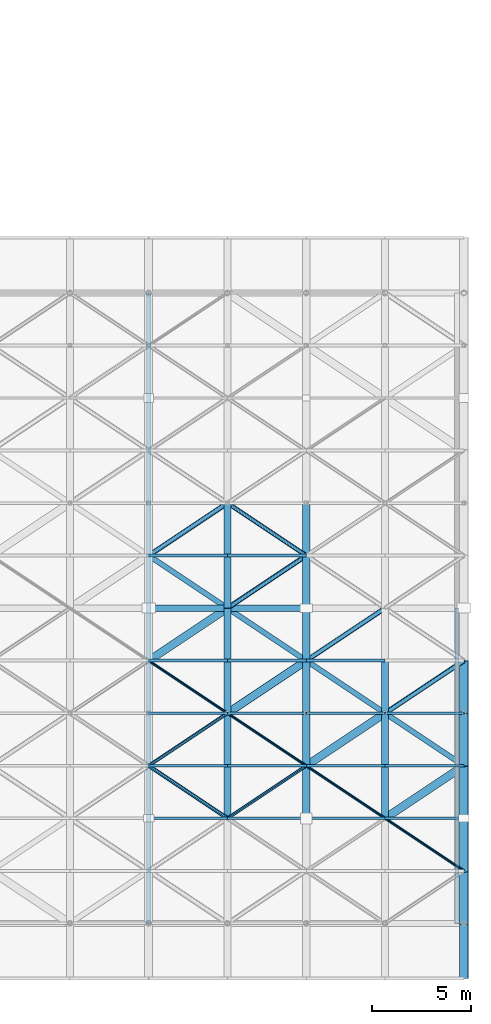
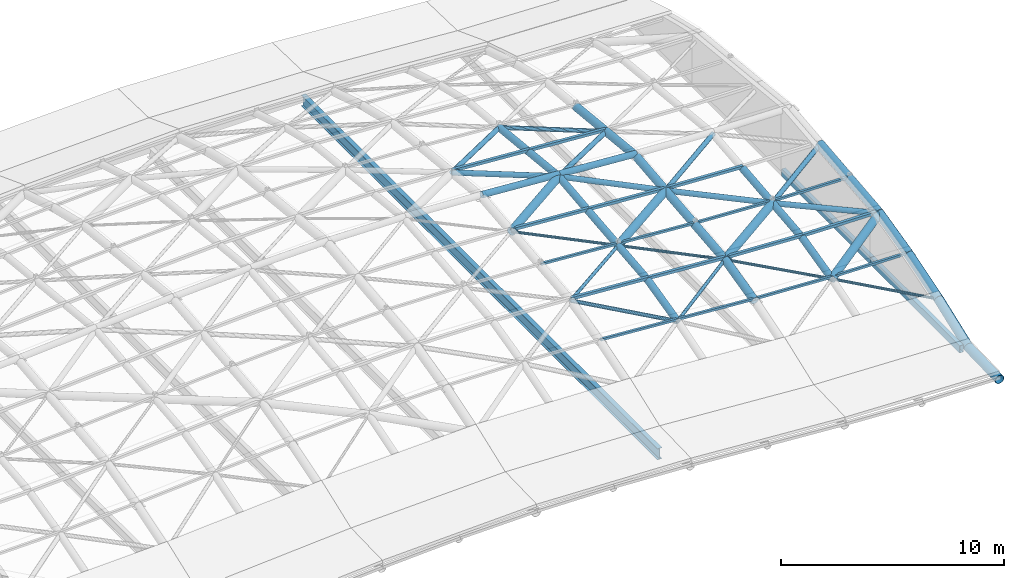
# One storey, part 6 of 20: 39 members, 24 beams.
"""IFC4 building model written with IfcOpenShell, lengths in metres."""

from ifc_helpers import new_model, si_unit, direction, frame, origin, origin_2d, place, context, subcontext, project, spatial, hollow_rectangle, hollow_circle, i_section, extrude, material, material_profile, profile_set, type_object, element, save


model = new_model("IFC4")

# Units and contexts
model_context = context("Model", 3, precision=1e-05, world=origin(), true_north=direction((0.0, 1.0)))
body_context = subcontext(model_context, "Body", "Model", "MODEL_VIEW")
ifc_project = project(units=[si_unit("LENGTHUNIT", "METRE"), si_unit("AREAUNIT", "SQUARE_METRE"), si_unit("VOLUMEUNIT", "CUBIC_METRE"), si_unit("PLANEANGLEUNIT", "RADIAN"), si_unit("MASSUNIT", "GRAM", prefix="KILO")], contexts=[model_context])

# Site, building, storey
site_placement = place(None, origin())
site = spatial("IfcSite", under=ifc_project, at=site_placement, CompositionType="ELEMENT")
building_placement = place(site_placement, origin())
building = spatial("IfcBuilding", under=site, at=building_placement, Name="Tenunan Teduh Sports Hall", CompositionType="ELEMENT")
storey_placement = place(building_placement, frame((0.0, 0.0, 23.39990234375)))
storey = spatial("IfcBuildingStorey", under=building, at=storey_placement, Name="RF", CompositionType="ELEMENT", Elevation=23.39990234375)

# Beams
ifc_material_1 = material(Name="Steel S355", Category="steel")
ifc_material_profile_1 = material_profile(ifc_material_1, hollow_circle(Radius=0.177734375, WallThickness=0.012451171875, at=origin_2d()), Name="CHS 355.6x12.5")
ifc_profile_set_1 = profile_set([ifc_material_profile_1], Name="Steel S355")
beam_type_1 = type_object("IfcBeamType", Name="GSB-CHS356", PredefinedType="BEAM", material=ifc_profile_set_1)
beam_1_placement = place(storey_placement, frame((42.0, 19.333251953125, 2.0029296875), z_axis=(0.0, 0.972012875749, 0.234927583263), x_axis=(-1.0, 0.0, 0.0)))
element("IfcBeam", 1, at=beam_1_placement, inside=storey, type_object=beam_type_1, Name="Gridshell Vault Arch BM-GR-04-RF-0396", PredefinedType="BEAM", context=body_context, shape_type="SweptSolid", body=[
    extrude(hollow_circle(Radius=0.177734375, WallThickness=0.012451171875, at=origin_2d()), origin(), (0.0, 0.0, 1.0), 2.74365234375),
])
beam_2_placement = place(storey_placement, frame((42.0, 22.0, 2.6474609375), z_axis=(0.0, 0.994784282387, 0.102001134878), x_axis=(-1.0, 0.0, 0.0)))
element("IfcBeam", 2, at=beam_2_placement, inside=storey, type_object=beam_type_1, Name="Gridshell Vault Arch BM-GR-04-RF-0397", PredefinedType="BEAM", context=body_context, shape_type="SweptSolid", body=[
    extrude(hollow_circle(Radius=0.177734375, WallThickness=0.012451171875, at=origin_2d()), origin(), (0.0, 0.0, 1.0), 2.6806640625),
])
beam_3_placement = place(storey_placement, frame((42.0, 24.666748046875, 2.9208984375), z_axis=(0.0, 0.994783334719, 0.102010376752), x_axis=(-1.0, 0.0, 0.0)))
element("IfcBeam", 3, at=beam_3_placement, inside=storey, type_object=beam_type_1, Name="Gridshell Vault Arch BM-GR-04-RF-0398", PredefinedType="BEAM", context=body_context, shape_type="SweptSolid", body=[
    extrude(hollow_circle(Radius=0.177734375, WallThickness=0.012451171875, at=origin_2d()), origin(), (0.0, 0.0, 1.0), 2.680419921875),
])
for number, where, z_axis, x_axis, name in (
    (4, (42.0, 27.333251953125, 3.1943359375), (0.0, 0.994635403039, 0.103442810387), (-1.0, 0.0, 0.0), "Gridshell Vault Arch BM-GR-04-RF-0399"),
    (5, (42.0, 30.0, 3.4716796875), (0.0, 0.994635403039, -0.103442810387), (-1.0, 0.0, 0.0), "Gridshell Vault Arch BM-GR-04-RF-0400"),
):
    element("IfcBeam", number, at=place(storey_placement, frame(where, z_axis=z_axis, x_axis=x_axis)), inside=storey, type_object=beam_type_1, Name=name, PredefinedType="BEAM", context=body_context, shape_type="SweptSolid", body=[
        extrude(hollow_circle(Radius=0.177734375, WallThickness=0.012451171875, at=origin_2d()), origin(), (0.0, 0.0, 1.0), 2.68115234375),
    ])
beam_4_placement = place(storey_placement, frame((42.0, 32.666748046875, 3.1943359375), z_axis=(0.0, 0.994783334719, -0.102010376752), x_axis=(-1.0, 0.0, 0.0)))
element("IfcBeam", 6, at=beam_4_placement, inside=storey, type_object=beam_type_1, Name="Gridshell Vault Arch BM-GR-04-RF-0401", PredefinedType="BEAM", context=body_context, shape_type="SweptSolid", body=[
    extrude(hollow_circle(Radius=0.177734375, WallThickness=0.012451171875, at=origin_2d()), origin(), (0.0, 0.0, 1.0), 2.680419921875),
])
beam_5_placement = place(storey_placement, frame((50.0, 19.333251953125, 1.5263671875), z_axis=(0.0, 0.972012875749, 0.234927583263), x_axis=(-1.0, 0.0, 0.0)))
element("IfcBeam", 7, at=beam_5_placement, inside=storey, type_object=beam_type_1, Name="Gridshell Vault Arch BM-GR-04-RF-0424", PredefinedType="BEAM", context=body_context, shape_type="SweptSolid", body=[
    extrude(hollow_circle(Radius=0.177734375, WallThickness=0.012451171875, at=origin_2d()), origin(), (0.0, 0.0, 1.0), 2.74365234375),
])
beam_6_placement = place(storey_placement, frame((50.0, 22.0, 2.1708984375), z_axis=(0.0, 0.994784282387, 0.102001134878), x_axis=(-1.0, 0.0, 0.0)))
element("IfcBeam", 8, at=beam_6_placement, inside=storey, type_object=beam_type_1, Name="Gridshell Vault Arch BM-GR-04-RF-0425", PredefinedType="BEAM", context=body_context, shape_type="SweptSolid", body=[
    extrude(hollow_circle(Radius=0.177734375, WallThickness=0.012451171875, at=origin_2d()), origin(), (0.0, 0.0, 1.0), 2.6806640625),
])
beam_7_placement = place(storey_placement, frame((50.0, 24.666748046875, 2.4443359375), z_axis=(0.0, 0.994783334719, 0.102010376752), x_axis=(-1.0, 0.0, 0.0)))
element("IfcBeam", 9, at=beam_7_placement, inside=storey, type_object=beam_type_1, Name="Gridshell Vault Arch BM-GR-04-RF-0426", PredefinedType="BEAM", context=body_context, shape_type="SweptSolid", body=[
    extrude(hollow_circle(Radius=0.177734375, WallThickness=0.012451171875, at=origin_2d()), origin(), (0.0, 0.0, 1.0), 2.680419921875),
])
ifc_material_2 = material(Name="Steel S355", Category="steel")
ifc_material_profile_2 = material_profile(ifc_material_2, hollow_circle(Radius=0.203125, WallThickness=0.01611328125, at=origin_2d()), Name="CHS 406.4x16.0")
ifc_profile_set_2 = profile_set([ifc_material_profile_2], Name="Steel S355")
beam_type_2 = type_object("IfcBeamType", Name="GSB-CHS406", PredefinedType="BEAM", material=ifc_profile_set_2)
beam_8_placement = place(storey_placement, frame((46.0, 19.333251953125, 1.7255859375), z_axis=(0.0, 0.972012875749, 0.234927583263), x_axis=(-1.0, 0.0, 0.0)))
element("IfcBeam", 10, at=beam_8_placement, inside=storey, type_object=beam_type_2, Name="Gridshell Vault Arch BM-GA-02-RF-0410", PredefinedType="BEAM", context=body_context, shape_type="SweptSolid", body=[
    extrude(hollow_circle(Radius=0.203125, WallThickness=0.01611328125, at=origin_2d()), origin(), (0.0, 0.0, 1.0), 2.74365234375),
])
beam_9_placement = place(storey_placement, frame((46.0, 22.0, 2.3701171875), z_axis=(0.0, 0.994784282387, 0.102001134878), x_axis=(-1.0, 0.0, 0.0)))
element("IfcBeam", 11, at=beam_9_placement, inside=storey, type_object=beam_type_2, Name="Gridshell Vault Arch BM-GA-02-RF-0411", PredefinedType="BEAM", context=body_context, shape_type="SweptSolid", body=[
    extrude(hollow_circle(Radius=0.203125, WallThickness=0.01611328125, at=origin_2d()), origin(), (0.0, 0.0, 1.0), 2.6806640625),
])
beam_10_placement = place(storey_placement, frame((46.0, 24.666748046875, 2.6435546875), z_axis=(0.0, 0.994783334719, 0.102010376752), x_axis=(-1.0, 0.0, 0.0)))
element("IfcBeam", 12, at=beam_10_placement, inside=storey, type_object=beam_type_2, Name="Gridshell Vault Arch BM-GA-02-RF-0412", PredefinedType="BEAM", context=body_context, shape_type="SweptSolid", body=[
    extrude(hollow_circle(Radius=0.203125, WallThickness=0.01611328125, at=origin_2d()), origin(), (0.0, 0.0, 1.0), 2.680419921875),
])
for number, where, z_axis, x_axis, name in (
    (13, (46.0, 27.333251953125, 2.9169921875), (0.0, 0.994635403039, 0.103442810387), (-1.0, 0.0, 0.0), "Gridshell Vault Arch BM-GA-02-RF-0413"),
    (14, (46.0, 30.0, 3.1943359375), (0.0, 0.994635403039, -0.103442810387), (-1.0, 0.0, 0.0), "Gridshell Vault Arch BM-GA-02-RF-0414"),
):
    element("IfcBeam", number, at=place(storey_placement, frame(where, z_axis=z_axis, x_axis=x_axis)), inside=storey, type_object=beam_type_2, Name=name, PredefinedType="BEAM", context=body_context, shape_type="SweptSolid", body=[
        extrude(hollow_circle(Radius=0.203125, WallThickness=0.01611328125, at=origin_2d()), origin(), (0.0, 0.0, 1.0), 2.68115234375),
    ])
beam_11_placement = place(storey_placement, frame((46.0, 32.666748046875, 2.9169921875), z_axis=(0.0, 0.994783334719, -0.102010376752), x_axis=(-1.0, 0.0, 0.0)))
element("IfcBeam", 15, at=beam_11_placement, inside=storey, type_object=beam_type_2, Name="Gridshell Vault Arch BM-GA-02-RF-0415", PredefinedType="BEAM", context=body_context, shape_type="SweptSolid", body=[
    extrude(hollow_circle(Radius=0.203125, WallThickness=0.01611328125, at=origin_2d()), origin(), (0.0, 0.0, 1.0), 2.680419921875),
])
ifc_material_3 = material(Name="Steel S355", Category="steel")
ifc_material_profile_3 = material_profile(ifc_material_3, hollow_circle(Radius=0.228515625, WallThickness=0.01611328125, at=origin_2d()), Name="CHS 457.0x16.0")
ifc_profile_set_3 = profile_set([ifc_material_profile_3], Name="Steel S355")
beam_type_3 = type_object("IfcBeamType", Name="GSB-CHS457", PredefinedType="BEAM", material=ifc_profile_set_3)
beam_12_placement = place(storey_placement, frame((54.0, 11.199951171875, -0.4580078125), z_axis=(0.0, 0.999610985869, 0.027890445155), x_axis=(-1.0, 0.0, 0.0)))
element("IfcBeam", 16, at=beam_12_placement, inside=storey, type_object=beam_type_3, Name="Gridshell Vault Arch BM-GA-01-RF-0435", PredefinedType="BEAM", context=body_context, shape_type="SweptSolid", body=[
    extrude(hollow_circle(Radius=0.228515625, WallThickness=0.01611328125, at=origin_2d()), origin(), (0.0, 0.0, 1.0), 2.801025390625),
])
beam_13_placement = place(storey_placement, frame((54.0, 14.0, -0.3798828125), z_axis=(0.0, 0.935428675248, 0.353515478479), x_axis=(-1.0, 0.0, 0.0)))
element("IfcBeam", 17, at=beam_13_placement, inside=storey, type_object=beam_type_3, Name="Gridshell Vault Arch BM-GA-01-RF-0436", PredefinedType="BEAM", context=body_context, shape_type="SweptSolid", body=[
    extrude(hollow_circle(Radius=0.228515625, WallThickness=0.01611328125, at=origin_2d()), origin(), (0.0, 0.0, 1.0), 2.850830078125),
])
beam_14_placement = place(storey_placement, frame((54.0, 16.666748046875, 0.6279296875), z_axis=(0.0, 0.955399948598, 0.295314981365), x_axis=(-1.0, 0.0, 0.0)))
element("IfcBeam", 18, at=beam_14_placement, inside=storey, type_object=beam_type_3, Name="Gridshell Vault Arch BM-GA-01-RF-0437", PredefinedType="BEAM", context=body_context, shape_type="SweptSolid", body=[
    extrude(hollow_circle(Radius=0.228515625, WallThickness=0.01611328125, at=origin_2d()), origin(), (0.0, 0.0, 1.0), 2.791015625),
])
beam_15_placement = place(storey_placement, frame((54.0, 19.333251953125, 1.4521484375), z_axis=(0.0, 0.972012875749, 0.234927583263), x_axis=(-1.0, 0.0, 0.0)))
element("IfcBeam", 19, at=beam_15_placement, inside=storey, type_object=beam_type_3, Name="Gridshell Vault Arch BM-GA-01-RF-0438", PredefinedType="BEAM", context=body_context, shape_type="SweptSolid", body=[
    extrude(hollow_circle(Radius=0.228515625, WallThickness=0.01611328125, at=origin_2d()), origin(), (0.0, 0.0, 1.0), 2.74365234375),
])
beam_16_placement = place(storey_placement, frame((54.0, 22.0, 2.0966796875), z_axis=(0.0, 0.994784282387, 0.102001134878), x_axis=(-1.0, 0.0, 0.0)))
element("IfcBeam", 20, at=beam_16_placement, inside=storey, type_object=beam_type_3, Name="Gridshell Vault Arch BM-GA-01-RF-0439", PredefinedType="BEAM", context=body_context, shape_type="SweptSolid", body=[
    extrude(hollow_circle(Radius=0.228515625, WallThickness=0.01611328125, at=origin_2d()), origin(), (0.0, 0.0, 1.0), 2.6806640625),
])
beam_17_placement = place(storey_placement, frame((54.0, 24.666748046875, 2.3701171875), z_axis=(0.0, 0.994783334719, 0.102010376752), x_axis=(-1.0, 0.0, 0.0)))
element("IfcBeam", 21, at=beam_17_placement, inside=storey, type_object=beam_type_3, Name="Gridshell Vault Arch BM-GA-01-RF-0440", PredefinedType="BEAM", context=body_context, shape_type="SweptSolid", body=[
    extrude(hollow_circle(Radius=0.228515625, WallThickness=0.01611328125, at=origin_2d()), origin(), (0.0, 0.0, 1.0), 2.680419921875),
])

# Members
ifc_material_4 = material(Name="Steel S355", Category="steel")
ifc_material_profile_4 = material_profile(ifc_material_4, hollow_circle(Radius=0.06982421875, WallThickness=0.00634765625, at=origin_2d()), Name="CHS 139.7x6.3")
ifc_profile_set_4 = profile_set([ifc_material_profile_4], Name="Steel S355")
member_type_1 = type_object("IfcMemberType", Name="MEM-BR-CHS140", PredefinedType="BRACE", material=ifc_profile_set_4)
member_1_placement = place(storey_placement, frame((38.0, 27.333251953125, 3.4677734375), z_axis=(0.826733689025, -0.551122152804, -0.113029996546), x_axis=(0.554676756648, 0.832065920246, 0.0)))
element("IfcMember", 22, at=member_1_placement, inside=storey, type_object=member_type_1, Name="MEM-GD-05-RF-0745", PredefinedType="BRACE", context=body_context, shape_type="SweptSolid", body=[
    extrude(hollow_circle(Radius=0.06982421875, WallThickness=0.00634765625, at=origin_2d()), origin(), (0.0, 0.0, 1.0), 4.83837890625),
])
member_2_placement = place(storey_placement, frame((42.0, 24.666748046875, 2.9208984375), z_axis=(0.826635001077, -0.55110681865, -0.113823764797), x_axis=(0.554711915519, 0.832042481356, 0.0)))
element("IfcMember", 23, at=member_2_placement, inside=storey, type_object=member_type_1, Name="MEM-GD-05-RF-0771", PredefinedType="BRACE", context=body_context, shape_type="SweptSolid", body=[
    extrude(hollow_circle(Radius=0.06982421875, WallThickness=0.00634765625, at=origin_2d()), origin(), (0.0, 0.0, 1.0), 4.8388671875),
])
member_3_placement = place(storey_placement, frame((46.0, 22.0, 2.3701171875), z_axis=(0.819516270357, -0.546360853339, -0.172866713278), x_axis=(0.554711915519, 0.832042481356, 0.0)))
element("IfcMember", 24, at=member_3_placement, inside=storey, type_object=member_type_1, Name="MEM-GD-05-RF-0797", PredefinedType="BRACE", context=body_context, shape_type="SweptSolid", body=[
    extrude(hollow_circle(Radius=0.06982421875, WallThickness=0.00634765625, at=origin_2d()), origin(), (0.0, 0.0, 1.0), 4.880859375),
])
member_4_placement = place(storey_placement, frame((50.0, 19.333251953125, 1.5263671875), z_axis=(0.817904708039, -0.545236524731, -0.183709065282), x_axis=(0.554676756648, 0.832065920246, 0.0)))
element("IfcMember", 25, at=member_4_placement, inside=storey, type_object=member_type_1, Name="MEM-GD-05-RF-0821", PredefinedType="BRACE", context=body_context, shape_type="SweptSolid", body=[
    extrude(hollow_circle(Radius=0.06982421875, WallThickness=0.00634765625, at=origin_2d()), origin(), (0.0, 0.0, 1.0), 4.890625),
])
ifc_material_5 = material(Name="Steel S355", Category="steel")
ifc_material_profile_5 = material_profile(ifc_material_5, hollow_circle(Radius=0.084228515625, WallThickness=0.008056640625, at=origin_2d()), Name="CHS 168.3x8.0")
ifc_profile_set_5 = profile_set([ifc_material_profile_5], Name="Steel S355")
member_type_2 = type_object("IfcMemberType", Name="MEM-BR-CHS168", PredefinedType="BRACE", material=ifc_profile_set_5)
member_5_placement = place(storey_placement, frame((38.0, 22.0, 2.9208984375), z_axis=(0.832042481356, 0.554711915519, 0.0), x_axis=(-0.554711915519, 0.832042481356, 0.0)))
element("IfcMember", 26, at=member_5_placement, inside=storey, type_object=member_type_2, Name="MEM-GD-04-RF-0744", PredefinedType="BRACE", context=body_context, shape_type="SweptSolid", body=[
    extrude(hollow_circle(Radius=0.084228515625, WallThickness=0.008056640625, at=origin_2d()), origin(), (0.0, 0.0, 1.0), 4.807373046875),
])
member_6_placement = place(storey_placement, frame((42.0, 19.333251953125, 2.0029296875), z_axis=(0.829626090454, 0.553100939088, 0.076157082522), x_axis=(-0.554711915519, 0.832042481356, 0.0)))
element("IfcMember", 27, at=member_6_placement, inside=storey, type_object=member_type_2, Name="MEM-GD-04-RF-0770", PredefinedType="BRACE", context=body_context, shape_type="SweptSolid", body=[
    extrude(hollow_circle(Radius=0.084228515625, WallThickness=0.008056640625, at=origin_2d()), origin(), (0.0, 0.0, 1.0), 4.821533203125),
])
ifc_material_6 = material(Name="Steel S355", Category="steel")
ifc_material_profile_6 = material_profile(ifc_material_6, hollow_circle(Radius=0.096923828125, WallThickness=0.008056640625, at=origin_2d()), Name="CHS 193.7x8.0")
ifc_profile_set_6 = profile_set([ifc_material_profile_6], Name="Steel S355")
member_type_3 = type_object("IfcMemberType", Name="MEM-BR-CHS194", PredefinedType="BRACE", material=ifc_profile_set_6)
member_7_placement = place(storey_placement, frame((38.0, 22.0, 2.9208984375), z_axis=(0.817276570763, -0.54486767471, -0.187558588017), x_axis=(0.554711915519, 0.832042481356, 0.0)))
element("IfcMember", 28, at=member_7_placement, inside=storey, type_object=member_type_3, Name="MEM-GD-03-RF-0743", PredefinedType="BRACE", context=body_context, shape_type="SweptSolid", body=[
    extrude(hollow_circle(Radius=0.096923828125, WallThickness=0.008056640625, at=origin_2d()), origin(), (0.0, 0.0, 1.0), 4.894287109375),
])
ifc_material_7 = material(Name="Steel S355", Category="steel")
ifc_material_profile_7 = material_profile(ifc_material_7, hollow_circle(Radius=0.109619140625, WallThickness=0.010009765625, at=origin_2d()), Name="CHS 219.1x10.0")
ifc_profile_set_7 = profile_set([ifc_material_profile_7], Name="Steel S355")
member_type_4 = type_object("IfcMemberType", Name="MEM-BR-CHS219", PredefinedType="BRACE", material=ifc_profile_set_7)
member_8_placement = place(storey_placement, frame((42.0, 35.333251953125, 2.9208984375), z_axis=(0.832065645556, -0.554676573533, -0.000812564107), x_axis=(0.554676756648, 0.832065920246, 0.0)))
element("IfcMember", 29, at=member_8_placement, inside=storey, type_object=member_type_4, Name="MEM-GD-02-RF-0775", PredefinedType="BRACE", context=body_context, shape_type="SweptSolid", body=[
    extrude(hollow_circle(Radius=0.109619140625, WallThickness=0.010009765625, at=origin_2d()), origin(), (0.0, 0.0, 1.0), 4.807373046875),
])
ifc_material_8 = material(Name="Steel S355", Category="steel")
ifc_material_profile_8 = material_profile(ifc_material_8, hollow_circle(Radius=0.122314453125, WallThickness=0.010009765625, at=origin_2d()), Name="CHS 244.5x10.0")
ifc_profile_set_8 = profile_set([ifc_material_profile_8], Name="Steel S355")
member_type_5 = type_object("IfcMemberType", Name="MEM-BR-CHS245", PredefinedType="BRACE", material=ifc_profile_set_8)
member_9_placement = place(storey_placement, frame((38.0, 32.666748046875, 3.4677734375), z_axis=(0.826733689025, 0.551122152804, -0.113029996546), x_axis=(-0.554676756648, 0.832065920246, 0.0)))
element("IfcMember", 30, at=member_9_placement, inside=storey, type_object=member_type_5, Name="MEM-GD-01-RF-0748", PredefinedType="BRACE", context=body_context, shape_type="SweptSolid", body=[
    extrude(hollow_circle(Radius=0.122314453125, WallThickness=0.010009765625, at=origin_2d()), origin(), (0.0, 0.0, 1.0), 4.83837890625),
])
member_10_placement = place(storey_placement, frame((42.0, 30.0, 3.4716796875), z_axis=(0.826558786537, 0.551056007406, -0.114620456727), x_axis=(-0.554711915519, 0.832042481356, 0.0)))
element("IfcMember", 31, at=member_10_placement, inside=storey, type_object=member_type_5, Name="MEM-GD-01-RF-0774", PredefinedType="BRACE", context=body_context, shape_type="SweptSolid", body=[
    extrude(hollow_circle(Radius=0.122314453125, WallThickness=0.010009765625, at=origin_2d()), origin(), (0.0, 0.0, 1.0), 4.83935546875),
])
member_11_placement = place(storey_placement, frame((46.0, 27.333251953125, 2.9169921875), z_axis=(0.831932636285, 0.554638683236, 0.016248684302), x_axis=(-0.554711915519, 0.832042481356, 0.0)))
element("IfcMember", 32, at=member_11_placement, inside=storey, type_object=member_type_5, Name="MEM-GD-01-RF-0800", PredefinedType="BRACE", context=body_context, shape_type="SweptSolid", body=[
    extrude(hollow_circle(Radius=0.122314453125, WallThickness=0.010009765625, at=origin_2d()), origin(), (0.0, 0.0, 1.0), 4.80810546875),
])
member_12_placement = place(storey_placement, frame((50.0, 24.666748046875, 2.4443359375), z_axis=(0.831352369747, 0.55420108535, 0.041405244978), x_axis=(-0.554676756648, 0.832065920246, 0.0)))
element("IfcMember", 33, at=member_12_placement, inside=storey, type_object=member_type_5, Name="MEM-GD-01-RF-0824", PredefinedType="BRACE", context=body_context, shape_type="SweptSolid", body=[
    extrude(hollow_circle(Radius=0.122314453125, WallThickness=0.010009765625, at=origin_2d()), origin(), (0.0, 0.0, 1.0), 4.8115234375),
])
ifc_material_9 = material(Name="Steel S355", Category="steel")
ifc_material_profile_9 = material_profile(ifc_material_9, hollow_circle(Radius=0.136474609375, WallThickness=0.010009765625, at=origin_2d()), Name="CHS 273.0x10.0")
ifc_profile_set_9 = profile_set([ifc_material_profile_9], Name="Steel S355")
member_type_6 = type_object("IfcMemberType", Name="MEM-CH-CHS273", PredefinedType="CHORD", material=ifc_profile_set_9)
member_13_placement = place(storey_placement, frame((38.0, 32.666748046875, 3.4677734375), z_axis=(0.832042206689, -0.554711732402, 0.000812541217), x_axis=(0.554711915519, 0.832042481356, 0.0)))
element("IfcMember", 34, at=member_13_placement, inside=storey, type_object=member_type_6, Name="MEM-GC-03-RF-0747", PredefinedType="CHORD", context=body_context, shape_type="SweptSolid", body=[
    extrude(hollow_circle(Radius=0.136474609375, WallThickness=0.010009765625, at=origin_2d()), origin(), (0.0, 0.0, 1.0), 4.807373046875),
])
member_14_placement = place(storey_placement, frame((42.0, 30.0, 3.4716796875), z_axis=(0.826558786537, -0.551056007406, -0.114620456727), x_axis=(0.554711915519, 0.832042481356, 0.0)))
element("IfcMember", 35, at=member_14_placement, inside=storey, type_object=member_type_6, Name="MEM-GC-03-RF-0773", PredefinedType="CHORD", context=body_context, shape_type="SweptSolid", body=[
    extrude(hollow_circle(Radius=0.136474609375, WallThickness=0.010009765625, at=origin_2d()), origin(), (0.0, 0.0, 1.0), 4.83935546875),
])
member_15_placement = place(storey_placement, frame((46.0, 27.333251953125, 2.9169921875), z_axis=(0.82807310517, -0.552015042399, -0.097848482154), x_axis=(0.554676756648, 0.832065920246, 0.0)))
element("IfcMember", 36, at=member_15_placement, inside=storey, type_object=member_type_6, Name="MEM-GC-03-RF-0799", PredefinedType="CHORD", context=body_context, shape_type="SweptSolid", body=[
    extrude(hollow_circle(Radius=0.136474609375, WallThickness=0.010009765625, at=origin_2d()), origin(), (0.0, 0.0, 1.0), 4.83056640625),
])
member_16_placement = place(storey_placement, frame((50.0, 24.666748046875, 2.4443359375), z_axis=(0.829875339825, -0.553267110407, -0.072127837153), x_axis=(0.554711915519, 0.832042481356, 0.0)))
element("IfcMember", 37, at=member_16_placement, inside=storey, type_object=member_type_6, Name="MEM-GC-03-RF-0823", PredefinedType="CHORD", context=body_context, shape_type="SweptSolid", body=[
    extrude(hollow_circle(Radius=0.136474609375, WallThickness=0.010009765625, at=origin_2d()), origin(), (0.0, 0.0, 1.0), 4.820068359375),
])
ifc_material_10 = material(Name="Steel S355", Category="steel")
ifc_material_profile_10 = material_profile(ifc_material_10, hollow_circle(Radius=0.161865234375, WallThickness=0.012451171875, at=origin_2d()), Name="CHS 323.9x12.5")
ifc_profile_set_10 = profile_set([ifc_material_profile_10], Name="Steel S355")
member_type_7 = type_object("IfcMemberType", Name="MEM-CH-CHS324", PredefinedType="CHORD", material=ifc_profile_set_10)
member_17_placement = place(storey_placement, frame((38.0, 30.0, 3.864990234375), z_axis=(0.997671655029, 0.0, -0.068200210793), x_axis=(0.0, 1.0, 0.0)))
element("IfcMember", 38, at=member_17_placement, inside=storey, type_object=member_type_7, Name="MEM-GC-02-RF-0733", PredefinedType="CHORD", context=body_context, shape_type="SweptSolid", body=[
    extrude(hollow_circle(Radius=0.161865234375, WallThickness=0.012451171875, at=origin_2d()), origin(), (0.0, 0.0, 1.0), 4.00927734375),
])
member_18_placement = place(storey_placement, frame((42.0, 30.0, 3.591552734375), z_axis=(0.99760489623, 0.0, -0.069169870735), x_axis=(0.0, 1.0, 0.0)))
element("IfcMember", 39, at=member_18_placement, inside=storey, type_object=member_type_7, Name="MEM-GC-02-RF-0760", PredefinedType="CHORD", context=body_context, shape_type="SweptSolid", body=[
    extrude(hollow_circle(Radius=0.161865234375, WallThickness=0.012451171875, at=origin_2d()), origin(), (0.0, 0.0, 1.0), 4.009521484375),
])
ifc_material_11 = material(Name="Steel S355", Category="steel")
ifc_material_profile_11 = material_profile(ifc_material_11, hollow_circle(Radius=0.203125, WallThickness=0.012451171875, at=origin_2d()), Name="CHS 406.4x12.5")
ifc_profile_set_11 = profile_set([ifc_material_profile_11], Name="Steel S355")
member_type_8 = type_object("IfcMemberType", Name="MEM-CH-CHS406L", PredefinedType="CHORD", material=ifc_profile_set_11)
for number, where, z_axis, x_axis, name in (
    (40, (38.0, 27.333251953125, 3.4677734375), (0.832042206689, 0.554711732402, 0.000812541217), (-0.554711915519, 0.832042481356, 0.0), "MEM-GC-01-RF-0746"),
    (41, (42.0, 24.666748046875, 2.9208984375), (0.832065645556, 0.554676573533, -0.000812564107), (-0.554676756648, 0.832065920246, 0.0), "MEM-GC-01-RF-0772"),
):
    element("IfcMember", number, at=place(storey_placement, frame(where, z_axis=z_axis, x_axis=x_axis)), inside=storey, type_object=member_type_8, Name=name, PredefinedType="CHORD", context=body_context, shape_type="SweptSolid", body=[
        extrude(hollow_circle(Radius=0.203125, WallThickness=0.012451171875, at=origin_2d()), origin(), (0.0, 0.0, 1.0), 4.807373046875),
    ])
member_19_placement = place(storey_placement, frame((46.0, 22.0, 2.3701171875), z_axis=(0.831943344266, 0.554645822108, 0.015436448771), x_axis=(-0.554711915519, 0.832042481356, 0.0)))
element("IfcMember", 42, at=member_19_placement, inside=storey, type_object=member_type_8, Name="MEM-GC-01-RF-0798", PredefinedType="CHORD", context=body_context, shape_type="SweptSolid", body=[
    extrude(hollow_circle(Radius=0.203125, WallThickness=0.012451171875, at=origin_2d()), origin(), (0.0, 0.0, 1.0), 4.80810546875),
])
member_20_placement = place(storey_placement, frame((50.0, 19.333251953125, 1.5263671875), z_axis=(0.826248759611, 0.550849316482, 0.117804998929), x_axis=(-0.554711915519, 0.832042481356, 0.0)))
element("IfcMember", 43, at=member_20_placement, inside=storey, type_object=member_type_8, Name="MEM-GC-01-RF-0822", PredefinedType="CHORD", context=body_context, shape_type="SweptSolid", body=[
    extrude(hollow_circle(Radius=0.203125, WallThickness=0.012451171875, at=origin_2d()), origin(), (0.0, 0.0, 1.0), 4.841064453125),
])
ifc_material_12 = material(Name="Steel S355", Category="steel")
ifc_material_profile_12 = material_profile(ifc_material_12, hollow_rectangle(XDim=0.1201171875, YDim=0.1201171875, WallThickness=0.00634765625, at=origin_2d()), Name="SHS 120x120x6.3")
ifc_profile_set_12 = profile_set([ifc_material_profile_12], Name="Steel S355")
member_type_9 = type_object("IfcMemberType", Name="MEM-PR-SHS120", PredefinedType="PURLIN", material=ifc_profile_set_12)
for number, where, z_axis, x_axis, name in (
    (44, (38.0, 19.333251953125, 2.396240234375), (0.997671655029, 0.0, -0.068200210793), (0.0, 1.0, 0.0), "MEM-PR-02-RF-0729"),
    (45, (38.0, 24.666748046875, 3.314208984375), (0.997671655029, 0.0, -0.068200210793), (0.0, 1.0, 0.0), "MEM-PR-02-RF-0731"),
):
    element("IfcMember", number, at=place(storey_placement, frame(where, z_axis=z_axis, x_axis=x_axis)), inside=storey, type_object=member_type_9, Name=name, PredefinedType="PURLIN", context=body_context, shape_type="SweptSolid", body=[
        extrude(hollow_rectangle(XDim=0.1201171875, YDim=0.1201171875, WallThickness=0.00634765625, at=origin_2d()), origin(), (0.0, 0.0, 1.0), 4.00927734375),
    ])
for number, where, z_axis, x_axis, name in (
    (46, (42.0, 19.333251953125, 2.122802734375), (0.99760489623, 0.0, -0.069169870735), (0.0, 1.0, 0.0), "MEM-PR-02-RF-0756"),
    (47, (42.0, 24.666748046875, 3.040771484375), (0.99760489623, 0.0, -0.069169870735), (0.0, 1.0, 0.0), "MEM-PR-02-RF-0758"),
):
    element("IfcMember", number, at=place(storey_placement, frame(where, z_axis=z_axis, x_axis=x_axis)), inside=storey, type_object=member_type_9, Name=name, PredefinedType="PURLIN", context=body_context, shape_type="SweptSolid", body=[
        extrude(hollow_rectangle(XDim=0.1201171875, YDim=0.1201171875, WallThickness=0.00634765625, at=origin_2d()), origin(), (0.0, 0.0, 1.0), 4.009521484375),
    ])
for number, where, z_axis, x_axis, name in (
    (48, (46.0, 19.333251953125, 1.845458984375), (0.998762049135, 0.0, -0.049743031744), (0.0, 1.0, 0.0), "MEM-PR-02-RF-0783"),
    (49, (46.0, 24.666748046875, 2.763427734375), (0.998762049135, 0.0, -0.049743031744), (0.0, 1.0, 0.0), "MEM-PR-02-RF-0785"),
):
    element("IfcMember", number, at=place(storey_placement, frame(where, z_axis=z_axis, x_axis=x_axis)), inside=storey, type_object=member_type_9, Name=name, PredefinedType="PURLIN", context=body_context, shape_type="SweptSolid", body=[
        extrude(hollow_rectangle(XDim=0.1201171875, YDim=0.1201171875, WallThickness=0.00634765625, at=origin_2d()), origin(), (0.0, 0.0, 1.0), 4.0048828125),
    ])
for number, where, z_axis, x_axis, name in (
    (50, (50.0, 19.333251953125, 1.646240234375), (0.99982790622, 0.0, -0.018551494354), (0.0, 1.0, 0.0), "MEM-PR-02-RF-0809"),
    (51, (50.0, 24.666748046875, 2.564208984375), (0.99982790622, 0.0, -0.018551494354), (0.0, 1.0, 0.0), "MEM-PR-02-RF-0811"),
):
    element("IfcMember", number, at=place(storey_placement, frame(where, z_axis=z_axis, x_axis=x_axis)), inside=storey, type_object=member_type_9, Name=name, PredefinedType="PURLIN", context=body_context, shape_type="SweptSolid", body=[
        extrude(hollow_rectangle(XDim=0.1201171875, YDim=0.1201171875, WallThickness=0.00634765625, at=origin_2d()), origin(), (0.0, 0.0, 1.0), 4.000732421875),
    ])
ifc_material_13 = material(Name="Steel S355", Category="steel")
ifc_material_profile_13 = material_profile(ifc_material_13, hollow_rectangle(XDim=0.14990234375, YDim=0.14990234375, WallThickness=0.008056640625, at=origin_2d()), Name="SHS 150x150x8.0")
ifc_profile_set_13 = profile_set([ifc_material_profile_13], Name="Steel S355")
member_type_10 = type_object("IfcMemberType", Name="MEM-PR-SHS150", PredefinedType="PURLIN", material=ifc_profile_set_13)
for number, where, z_axis, x_axis, name in (
    (52, (38.0, 22.0, 3.040771484375), (0.997671655029, 0.0, -0.068200210793), (0.0, 1.0, 0.0), "MEM-PR-01-RF-0730"),
    (53, (38.0, 27.333251953125, 3.587646484375), (0.997671655029, 0.0, -0.068200210793), (0.0, 1.0, 0.0), "MEM-PR-01-RF-0732"),
    (54, (38.0, 32.666748046875, 3.587646484375), (0.997671655029, 0.0, -0.068200210793), (0.0, 1.0, 0.0), "MEM-PR-01-RF-0734"),
):
    element("IfcMember", number, at=place(storey_placement, frame(where, z_axis=z_axis, x_axis=x_axis)), inside=storey, type_object=member_type_10, Name=name, PredefinedType="PURLIN", context=body_context, shape_type="SweptSolid", body=[
        extrude(hollow_rectangle(XDim=0.14990234375, YDim=0.14990234375, WallThickness=0.008056640625, at=origin_2d()), origin(), (0.0, 0.0, 1.0), 4.00927734375),
    ])
for number, where, z_axis, x_axis, name in (
    (55, (42.0, 22.0, 2.767333984375), (0.99760489623, 0.0, -0.069169870735), (0.0, 1.0, 0.0), "MEM-PR-01-RF-0757"),
    (56, (42.0, 27.333251953125, 3.314208984375), (0.99760489623, 0.0, -0.069169870735), (0.0, 1.0, 0.0), "MEM-PR-01-RF-0759"),
    (57, (42.0, 32.666748046875, 3.314208984375), (0.99760489623, 0.0, -0.069169870735), (0.0, 1.0, 0.0), "MEM-PR-01-RF-0761"),
):
    element("IfcMember", number, at=place(storey_placement, frame(where, z_axis=z_axis, x_axis=x_axis)), inside=storey, type_object=member_type_10, Name=name, PredefinedType="PURLIN", context=body_context, shape_type="SweptSolid", body=[
        extrude(hollow_rectangle(XDim=0.14990234375, YDim=0.14990234375, WallThickness=0.008056640625, at=origin_2d()), origin(), (0.0, 0.0, 1.0), 4.009521484375),
    ])
for number, where, z_axis, x_axis, name in (
    (58, (46.0, 22.0, 2.489990234375), (0.998762049135, 0.0, -0.049743031744), (0.0, 1.0, 0.0), "MEM-PR-01-RF-0784"),
    (59, (46.0, 27.333251953125, 3.036865234375), (0.998762049135, 0.0, -0.049743031744), (0.0, 1.0, 0.0), "MEM-PR-01-RF-0786"),
):
    element("IfcMember", number, at=place(storey_placement, frame(where, z_axis=z_axis, x_axis=x_axis)), inside=storey, type_object=member_type_10, Name=name, PredefinedType="PURLIN", context=body_context, shape_type="SweptSolid", body=[
        extrude(hollow_rectangle(XDim=0.14990234375, YDim=0.14990234375, WallThickness=0.008056640625, at=origin_2d()), origin(), (0.0, 0.0, 1.0), 4.0048828125),
    ])
member_21_placement = place(storey_placement, frame((50.0, 22.0, 2.290771484375), z_axis=(0.99982790622, 0.0, -0.018551494354), x_axis=(0.0, 1.0, 0.0)))
element("IfcMember", 60, at=member_21_placement, inside=storey, type_object=member_type_10, Name="MEM-PR-01-RF-0810", PredefinedType="PURLIN", context=body_context, shape_type="SweptSolid", body=[
    extrude(hollow_rectangle(XDim=0.14990234375, YDim=0.14990234375, WallThickness=0.008056640625, at=origin_2d()), origin(), (0.0, 0.0, 1.0), 4.000732421875),
])

# Beams
ifc_material_14 = material(Name="Steel S355", Category="steel")
ifc_material_profile_14 = material_profile(ifc_material_14, hollow_rectangle(XDim=0.199951171875, YDim=0.39990234375, WallThickness=0.012451171875, at=origin_2d()), Name="RHS 400x200x12.5")
ifc_profile_set_14 = profile_set([ifc_material_profile_14], Name="Steel S355")
beam_type_4 = type_object("IfcBeamType", Name="RBM-RHS400", PredefinedType="SPANDREL", material=ifc_profile_set_14)
for number, where, z_axis, x_axis, name in (
    (61, (53.646484375, 14.0, -0.35986328125), (0.0, 1.0, 0.0), (-1.0, 0.0, 0.0), "Perimeter Ring Beam BM-RB-02-RF-0255"),
    (62, (53.646484375, 22.0, -0.35986328125), (0.0, 1.0, 0.0), (-1.0, 0.0, 0.0), "Perimeter Ring Beam BM-RB-02-RF-0257"),
):
    element("IfcBeam", number, at=place(storey_placement, frame(where, z_axis=z_axis, x_axis=x_axis)), inside=storey, type_object=beam_type_4, Name=name, PredefinedType="SPANDREL", context=body_context, shape_type="SweptSolid", body=[
        extrude(hollow_rectangle(XDim=0.199951171875, YDim=0.39990234375, WallThickness=0.012451171875, at=origin_2d()), origin(), (0.0, 0.0, 1.0), 8.0),
    ])
ifc_material_15 = material(Name="Steel S355", Category="steel")
ifc_material_profile_15 = material_profile(ifc_material_15, i_section(OverallWidth=0.22900390625, OverallDepth=0.6123046875, WebThickness=0.011962890625, FlangeThickness=0.01953125, FilletRadius=0.0126953125, at=origin_2d()), Name="UKB 610x229x125")
ifc_profile_set_15 = profile_set([ifc_material_profile_15], Name="Steel S355")
beam_type_5 = type_object("IfcBeamType", Name="SBM-UKB610", PredefinedType="BEAM", material=ifc_profile_set_15)
beam_18_placement = place(storey_placement, frame((38.0, 14.0, -0.6259765625), z_axis=(0.0, 1.0, 0.0), x_axis=(-1.0, 0.0, 0.0)))
element("IfcBeam", 63, at=beam_18_placement, inside=storey, type_object=beam_type_5, Name="BM-SB-06-RF-0265", PredefinedType="BEAM", context=body_context, shape_type="SweptSolid", body=[
    extrude(i_section(OverallWidth=0.22900390625, OverallDepth=0.6123046875, WebThickness=0.011962890625, FlangeThickness=0.01953125, FilletRadius=0.0126953125, at=origin_2d()), origin(), (0.0, 0.0, 1.0), 32.0),
])

save(model, "model.ifc")
